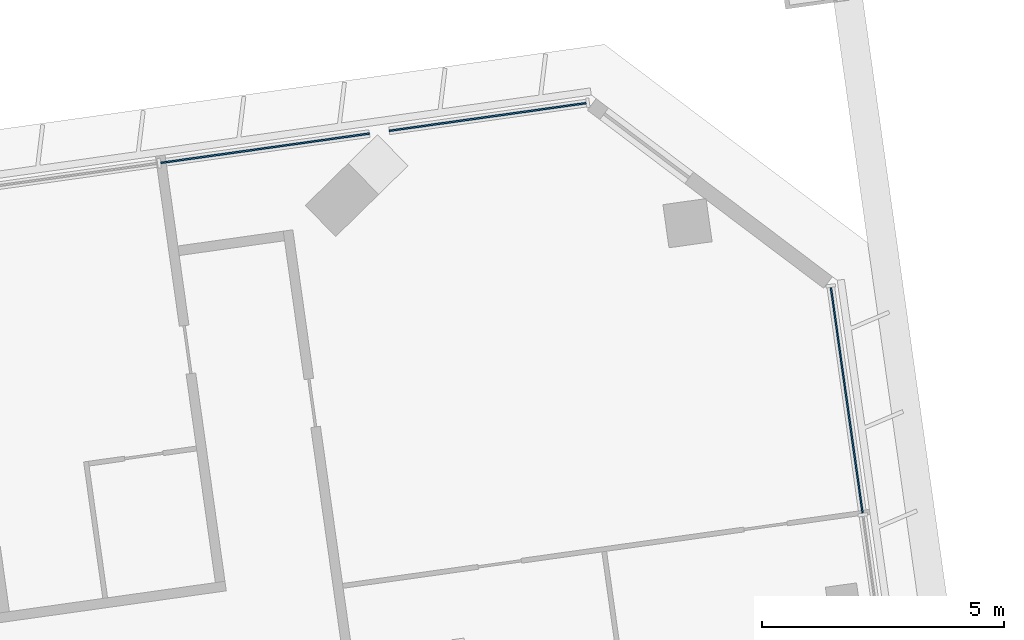
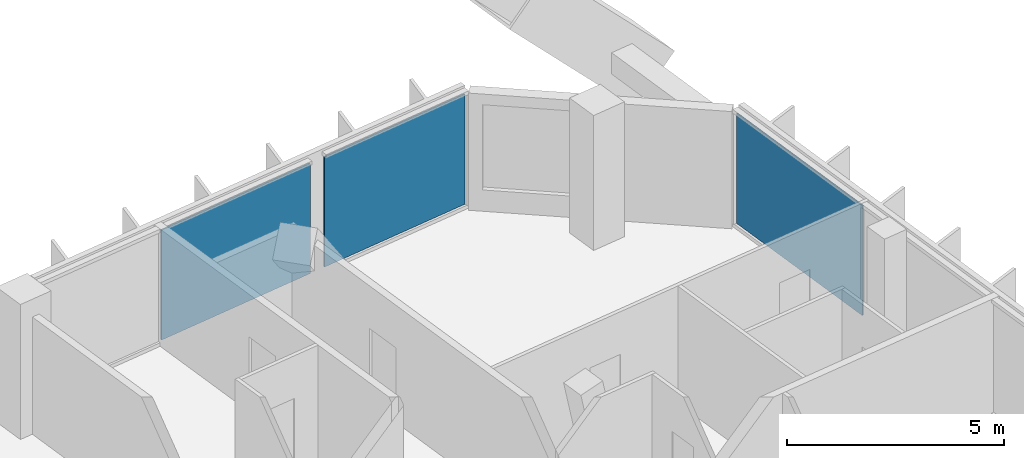
# One storey, part 17 of 34: 3 plates, 2 elements without a shape of their own.
"""IFC4 building model written with IfcOpenShell, lengths in metres."""

from ifc_helpers import new_model, si_unit, direction, frame, origin, origin_2d, place, context, subcontext, project, spatial, rectangle, extrude, material, layer, layer_set, type_object, element, aggregate, save


model = new_model("IFC4")

# Units and contexts
model_context = context("Model", 3, precision=1e-05, world=origin(), true_north=direction((0.0, 1.0)))
body_context = subcontext(model_context, "Body", "Model", "MODEL_VIEW")
ifc_project = project(units=[si_unit("LENGTHUNIT", "METRE"), si_unit("AREAUNIT", "SQUARE_METRE"), si_unit("VOLUMEUNIT", "CUBIC_METRE"), si_unit("PLANEANGLEUNIT", "RADIAN"), si_unit("MASSUNIT", "GRAM", prefix="KILO")], contexts=[model_context])

# Site, building, storey
site_placement = place(None, origin())
site = spatial("IfcSite", under=ifc_project, at=site_placement, CompositionType="ELEMENT")
building_placement = place(site_placement, origin())
building = spatial("IfcBuilding", under=site, at=building_placement, Name="Mirante Cascada Hotel Towers", CompositionType="ELEMENT")
storey_placement = place(building_placement, frame((0.0, 0.0, 148.1)))
storey = spatial("IfcBuildingStorey", under=building, at=storey_placement, Name="L34", CompositionType="ELEMENT", Elevation=148.1)

# Curtain wall, plates
ifc_material_1 = material(Name="Aluminium mullion and transom frame with clear laminated glass", Category="aluminium")
curtain_wall_type_1 = type_object("IfcCurtainWallType", Name="Ribbon curtain wall ECW1", PredefinedType="NOTDEFINED", material=ifc_material_1)
curtain_wall_1_placement = place(storey_placement, origin())
curtain_wall_1 = element("IfcCurtainWall", 1, at=curtain_wall_1_placement, inside=storey, type_object=curtain_wall_type_1, Name="Front ribbon wall T2 L34", PredefinedType="NOTDEFINED")
ifc_material_2 = material(Name="Clear laminated glass", Category="glass")
ifc_layer_1 = layer(ifc_material_2, 0.036)
ifc_layer_set_1 = layer_set([ifc_layer_1], Name="ECW1 glass panel 36")
plate_type_1 = type_object("IfcPlateType", Name="ECW1 glass panel 36", PredefinedType="CURTAIN_PANEL", material=ifc_layer_set_1)
plate_1_placement = place(storey_placement, frame((92.0568, 25.7568, 0.1), z_axis=(0.0, 0.0, 1.0), x_axis=(-0.9902681, -0.1391731, 0.0)))
plate_1 = element("IfcPlate", 2, at=plate_1_placement, type_object=plate_type_1, Name="ECW1 panel 1", PredefinedType="CURTAIN_PANEL", context=body_context, shape_type="SweptSolid", body=[
    extrude(rectangle(XDim=4.114, YDim=0.036, at=origin_2d()), origin(), (0.0, 0.0, 1.0), 3.1),
])
plate_2_placement = place(storey_placement, frame((87.4537, 25.1098, 0.1), z_axis=(0.0, 0.0, 1.0), x_axis=(-0.9902681, -0.1391731, 0.0)))
plate_2 = element("IfcPlate", 3, at=plate_2_placement, type_object=plate_type_1, Name="ECW1 panel 2", PredefinedType="CURTAIN_PANEL", context=body_context, shape_type="SweptSolid", body=[
    extrude(rectangle(XDim=4.3589, YDim=0.036, at=origin_2d()), origin(), (0.0, 0.0, 1.0), 3.1),
])
aggregate(curtain_wall_1, [plate_1, plate_2])

# Curtain wall, plate
ifc_material_3 = material(Name="Aluminium mullion and transom frame with clear laminated glass", Category="aluminium")
curtain_wall_type_2 = type_object("IfcCurtainWallType", Name="End ribbon curtain wall ECW2", PredefinedType="NOTDEFINED", material=ifc_material_3)
curtain_wall_2_placement = place(storey_placement, origin())
curtain_wall_2 = element("IfcCurtainWall", 4, at=curtain_wall_2_placement, inside=storey, type_object=curtain_wall_type_2, Name="Outer end wall T2 L34", PredefinedType="NOTDEFINED")
ifc_material_4 = material(Name="Clear laminated glass", Category="glass")
ifc_layer_2 = layer(ifc_material_4, 0.034)
ifc_layer_set_2 = layer_set([ifc_layer_2], Name="ECW2 glass panel 34")
plate_type_2 = type_object("IfcPlateType", Name="ECW2 glass panel 34", PredefinedType="CURTAIN_PANEL", material=ifc_layer_set_2)
plate_3_placement = place(storey_placement, frame((99.4786, 19.898, 0.1), z_axis=(0.0, 0.0, 1.0), x_axis=(-0.1391731, 0.9902681, 0.0)))
plate_3 = element("IfcPlate", 5, at=plate_3_placement, type_object=plate_type_2, Name="ECW2 panel 6", PredefinedType="CURTAIN_PANEL", context=body_context, shape_type="SweptSolid", body=[
    extrude(rectangle(XDim=4.7151, YDim=0.034, at=origin_2d()), origin(), (0.0, 0.0, 1.0), 3.1),
])
aggregate(curtain_wall_2, [plate_3])

save(model, "model.ifc")
